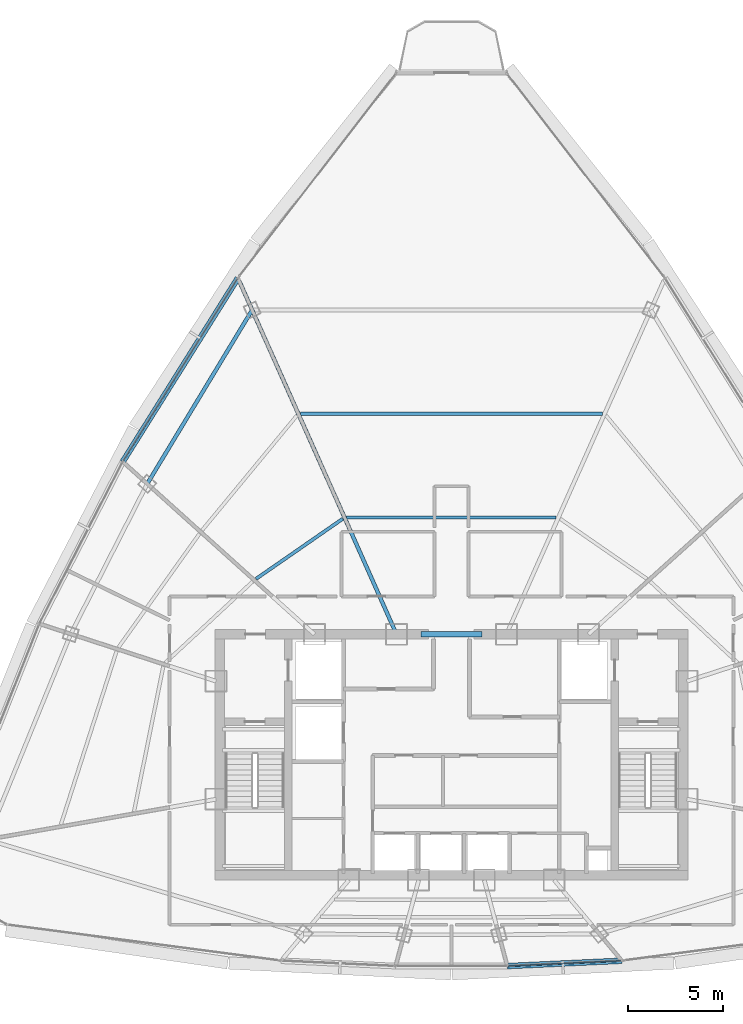
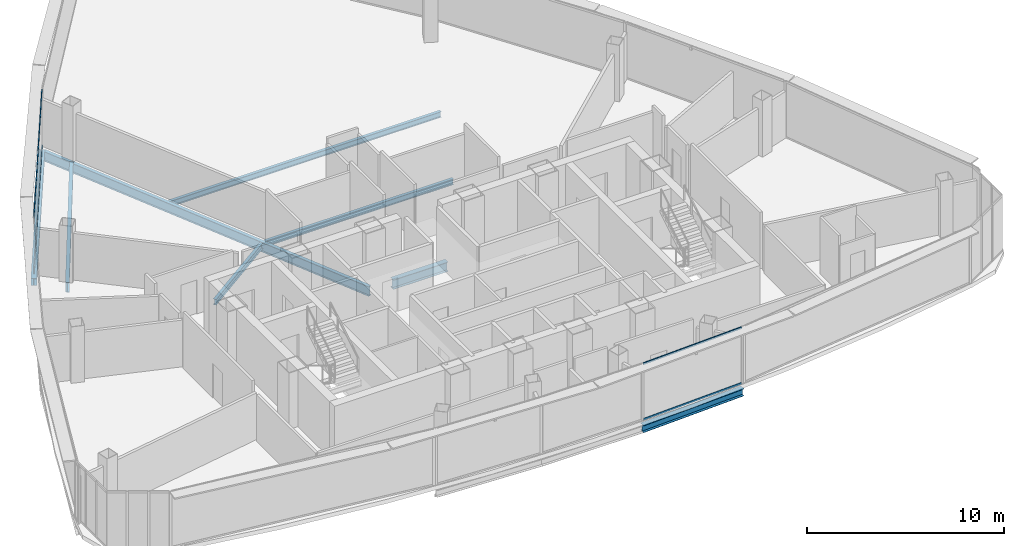
# One storey, part 9 of 29: 8 beams, 4 members, 2 elements without a shape of their own.
"""IFC4 building model written with IfcOpenShell, lengths in metres."""

from ifc_helpers import new_model, si_unit, direction, frame, origin, origin_2d, place, context, subcontext, project, spatial, hollow_rectangle, i_section, extrude, source, transform, mapped, material, layer, layer_set, material_profile, profile_set, type_object, element, aggregate, save


model = new_model("IFC4")

# Units and contexts
model_context = context("Model", 3, precision=1e-05, world=origin(), true_north=direction((0.0, 1.0)))
body_context = subcontext(model_context, "Body", "Model", "MODEL_VIEW")
ifc_project = project(units=[si_unit("LENGTHUNIT", "METRE"), si_unit("AREAUNIT", "SQUARE_METRE"), si_unit("VOLUMEUNIT", "CUBIC_METRE"), si_unit("PLANEANGLEUNIT", "RADIAN"), si_unit("MASSUNIT", "GRAM", prefix="KILO"), si_unit("THERMODYNAMICTEMPERATUREUNIT", "KELVIN"), si_unit("POWERUNIT", "WATT")], contexts=[model_context])

# Site, building, storey
site_placement = place(None, origin())
site = spatial("IfcSite", under=ifc_project, at=site_placement, CompositionType="ELEMENT")
building_placement = place(site_placement, origin())
building = spatial("IfcBuilding", under=site, at=building_placement, Name="Yunzhuo Pagoda Commons", CompositionType="ELEMENT")
storey_placement = place(building_placement, frame((0.0, 0.0, 359.260009765625)))
storey = spatial("IfcBuildingStorey", under=building, at=storey_placement, Name="L90", CompositionType="ELEMENT", Elevation=359.260009765625)

# Beams
ifc_material_1 = material(Name="Structural steel Q420B", Category="steel")
ifc_material_profile_1 = material_profile(ifc_material_1, i_section(OverallWidth=0.300048828125, OverallDepth=0.587890625, WebThickness=0.011962890625, FlangeThickness=0.02001953125, at=origin_2d()), Name="Structural steel Q420B")
ifc_profile_set_1 = profile_set([ifc_material_profile_1], Name="Structural steel Q420B")
beam_type_1 = type_object("IfcBeamType", Name="B-CPL Beam HM 588x300x12x20", PredefinedType="BEAM", material=ifc_profile_set_1)
shared_shape_1 = source(origin(), body_context, "Body", "SweptSolid", [
    extrude(i_section(OverallWidth=0.300048828125, OverallDepth=0.587890625, WebThickness=0.011962890625, FlangeThickness=0.02001953125, at=origin_2d()), origin(), (0.0, 0.0, 1.0), 3.2001953125),
])
beam_1_placement = place(storey_placement, frame((46.39990234375, 40.199951171875, -0.553955078125), z_axis=(1.0, 0.0, 0.0), x_axis=(0.0, 1.0, 0.0)))
element("IfcBeam", 1, at=beam_1_placement, inside=storey, type_object=beam_type_1, Name="L90 core coupling girder", PredefinedType="BEAM", context=body_context, shape_type="MappedRepresentation", body=[
    mapped(shared_shape_1, transform((0.0, 0.0, 0.0), scale=1.0)),
])
ifc_material_2 = material(Name="Structural steel Q355B", Category="steel")
ifc_material_profile_2 = material_profile(ifc_material_2, i_section(OverallWidth=0.199951171875, OverallDepth=0.60009765625, WebThickness=0.010986328125, FlangeThickness=0.01708984375, at=origin_2d()), Name="Structural steel Q355B")
ifc_profile_set_2 = profile_set([ifc_material_profile_2], Name="Structural steel Q355B")
beam_type_2 = type_object("IfcBeamType", Name="B-RG3 Beam HN 600x200x11x17", PredefinedType="BEAM", material=ifc_profile_set_2)
shared_shape_2 = source(origin(), body_context, "Body", "SweptSolid", [
    extrude(i_section(OverallWidth=0.199951171875, OverallDepth=0.60009765625, WebThickness=0.010986328125, FlangeThickness=0.01708984375, at=origin_2d()), origin(), (0.0, 0.0, 1.0), 10.691162109375),
])
beam_2_placement = place(storey_placement, frame((37.501220703125, 57.281005859375, -0.56005859375), z_axis=(-0.516864678433, -0.856067114301, 0.0), x_axis=(0.856067114301, -0.516864678433, 0.0)))
element("IfcBeam", 2, at=beam_2_placement, inside=storey, type_object=beam_type_2, Name="L90 column-ring beam 9", PredefinedType="BEAM", context=body_context, shape_type="MappedRepresentation", body=[
    mapped(shared_shape_2, transform((0.0, 0.0, 0.0), scale=1.0)),
])
ifc_material_profile_3 = material_profile(ifc_material_2, i_section(OverallWidth=0.175048828125, OverallDepth=0.35009765625, WebThickness=0.007080078125, FlangeThickness=0.010986328125, at=origin_2d()), Name="Structural steel Q355B")
ifc_profile_set_3 = profile_set([ifc_material_profile_3], Name="Structural steel Q355B")
beam_type_3 = type_object("IfcBeamType", Name="B-JS2 Joist HN 350x175x7x11", PredefinedType="JOIST", material=ifc_profile_set_3)
shared_shape_3 = source(origin(), body_context, "Body", "SweptSolid", [
    extrude(i_section(OverallWidth=0.175048828125, OverallDepth=0.35009765625, WebThickness=0.007080078125, FlangeThickness=0.010986328125, at=origin_2d()), origin(), (0.0, 0.0, 1.0), 5.556640625),
])
beam_3_placement = place(storey_placement, frame((42.273681640625, 46.28369140625, -0.43505859375), z_axis=(-0.822084621883, -0.569365326011, 0.0), x_axis=(0.569365326011, -0.822084621883, 0.0)))
element("IfcBeam", 3, at=beam_3_placement, inside=storey, type_object=beam_type_3, Name="L90 composite ring joist 1.9", PredefinedType="JOIST", context=body_context, shape_type="MappedRepresentation", body=[
    mapped(shared_shape_3, transform((0.0, 0.0, 0.0), scale=1.0)),
])
shared_shape_4 = source(origin(), body_context, "Body", "SweptSolid", [
    extrude(i_section(OverallWidth=0.175048828125, OverallDepth=0.35009765625, WebThickness=0.007080078125, FlangeThickness=0.010986328125, at=origin_2d()), origin(), (0.0, 0.0, 1.0), 11.03369140625),
])
beam_4_placement = place(storey_placement, frame((53.516845703125, 46.34912109375, -0.43505859375), z_axis=(-1.0, 0.0, 0.0), x_axis=(0.0, -1.0, 0.0)))
element("IfcBeam", 4, at=beam_4_placement, inside=storey, type_object=beam_type_3, Name="L90 composite ring joist 1.8", PredefinedType="JOIST", context=body_context, shape_type="MappedRepresentation", body=[
    mapped(shared_shape_4, transform((0.0, 0.0, 0.0), scale=1.0)),
])
shared_shape_5 = source(origin(), body_context, "Body", "SweptSolid", [
    extrude(i_section(OverallWidth=0.175048828125, OverallDepth=0.35009765625, WebThickness=0.007080078125, FlangeThickness=0.010986328125, at=origin_2d()), origin(), (0.0, 0.0, 1.0), 15.900390625),
])
beam_5_placement = place(storey_placement, frame((55.9501953125, 51.81494140625, -0.43505859375), z_axis=(-1.0, 0.0, 0.0), x_axis=(0.0, -1.0, 0.0)))
element("IfcBeam", 5, at=beam_5_placement, inside=storey, type_object=beam_type_3, Name="L90 composite ring joist 2.8", PredefinedType="JOIST", context=body_context, shape_type="MappedRepresentation", body=[
    mapped(shared_shape_5, transform((0.0, 0.0, 0.0), scale=1.0)),
])
shared_shape_6 = source(origin(), body_context, "Body", "SweptSolid", [
    extrude(i_section(OverallWidth=0.199951171875, OverallDepth=0.60009765625, WebThickness=0.010986328125, FlangeThickness=0.01708984375, at=origin_2d()), origin(), (0.0, 0.0, 1.0), 20.386474609375),
])
beam_6_placement = place(storey_placement, frame((36.814208984375, 58.823974609375, -0.56005859375), z_axis=(0.40672839734, -0.913549128836, 0.0), x_axis=(0.913549128836, 0.40672839734, 0.0)))
element("IfcBeam", 6, at=beam_6_placement, inside=storey, type_object=beam_type_2, Name="L90 radial floor girder F3C1", PredefinedType="BEAM", context=body_context, shape_type="MappedRepresentation", body=[
    mapped(shared_shape_6, transform((0.0, 0.0, 0.0), scale=1.0)),
])
ifc_material_profile_4 = material_profile(ifc_material_2, i_section(OverallWidth=0.300048828125, OverallDepth=0.43994140625, WebThickness=0.010986328125, FlangeThickness=0.01806640625, at=origin_2d()), Name="Structural steel Q355B")
ifc_profile_set_4 = profile_set([ifc_material_profile_4], Name="Structural steel Q355B")
beam_type_4 = type_object("IfcBeamType", Name="B-SP2 Beam HM 440x300x11x18", PredefinedType="BEAM", material=ifc_profile_set_4)
shared_shape_7 = source(origin(), body_context, "Body", "SweptSolid", [
    extrude(i_section(OverallWidth=0.300048828125, OverallDepth=0.43994140625, WebThickness=0.010986328125, FlangeThickness=0.01806640625, at=origin_2d()), origin(), (0.0, 0.0, 1.0), 6.039306640625),
])
beam_7_placement = place(storey_placement, frame((50.941162109375, 22.723388671875, -0.47998046875), z_axis=(0.998909369729, 0.046691231163, 0.0), x_axis=(-0.046691231163, 0.998909369729, 0.0)))
element("IfcBeam", 7, at=beam_7_placement, inside=storey, type_object=beam_type_4, Name="L90 facade edge spandrel beam F1.3", PredefinedType="BEAM", context=body_context, shape_type="MappedRepresentation", body=[
    mapped(shared_shape_7, transform((0.0, 0.0, 0.0), scale=1.0)),
])
shared_shape_8 = source(origin(), body_context, "Body", "SweptSolid", [
    extrude(i_section(OverallWidth=0.300048828125, OverallDepth=0.43994140625, WebThickness=0.010986328125, FlangeThickness=0.01806640625, at=origin_2d()), origin(), (0.0, 0.0, 1.0), 11.419677734375),
])
beam_8_placement = place(storey_placement, frame((36.7509765625, 58.965576171875, -0.47998046875), z_axis=(-0.53116107474, -0.847270861461, 0.0), x_axis=(0.847270861461, -0.53116107474, 0.0)))
element("IfcBeam", 8, at=beam_8_placement, inside=storey, type_object=beam_type_4, Name="L90 facade edge spandrel beam F3.1", PredefinedType="BEAM", context=body_context, shape_type="MappedRepresentation", body=[
    mapped(shared_shape_8, transform((0.0, 0.0, 0.0), scale=1.0)),
])

# Curtain wall, members
ifc_material_3 = material(Name="Anodized aluminium 6063-T6", Category="aluminium")
ifc_layer = layer(ifc_material_3, 0.139892578125)
ifc_layer_set = layer_set([ifc_layer], Name="Anodized aluminium 6063-T6")
curtain_wall_type = type_object("IfcCurtainWallType", Name="CW-HI High-Zone Ribbon Curtain Wall", PredefinedType="NOTDEFINED", material=ifc_layer_set)
curtain_wall_1_placement = place(storey_placement, origin())
curtain_wall_1 = element("IfcCurtainWall", 9, at=curtain_wall_1_placement, inside=storey, type_object=curtain_wall_type, Name="L90 curtain wall CW-L90-F1B4", PredefinedType="NOTDEFINED")
ifc_material_profile_5 = material_profile(ifc_material_3, hollow_rectangle(XDim=0.054931640625, YDim=0.1201171875, WallThickness=0.00341796875, at=origin_2d()), Name="Anodized aluminium 6063-T6")
ifc_profile_set_5 = profile_set([ifc_material_profile_5], Name="Anodized aluminium 6063-T6")
member_type = type_object("IfcMemberType", Name="CW-HI-T Transom RHS 120x55x3.5", PredefinedType="USERDEFINED", material=ifc_profile_set_5)
shared_shape_9 = source(origin(), body_context, "Body", "SweptSolid", [
    extrude(hollow_rectangle(XDim=0.054931640625, YDim=0.1201171875, WallThickness=0.00341796875, at=origin_2d()), origin(), (0.0, 0.0, 1.0), 5.919189453125),
])
member_1_placement = place(storey_placement, frame((51.001220703125, 22.72607421875, 0.027587890625), z_axis=(0.998905524307, 0.046773427391, 0.0), x_axis=(-0.046773427391, 0.998905524307, 0.0)))
member_1 = element("IfcMember", 10, at=member_1_placement, type_object=member_type, Name="CW transom 1.1", ObjectType="TRANSOM", PredefinedType="USERDEFINED", context=body_context, shape_type="MappedRepresentation", body=[
    mapped(shared_shape_9, transform((0.0, 0.0, 0.0), scale=1.0)),
])
member_2_placement = place(storey_placement, frame((51.001220703125, 22.72607421875, 3.46240234375), z_axis=(0.998905524307, 0.046773427391, 0.0), x_axis=(-0.046773427391, 0.998905524307, 0.0)))
member_2 = element("IfcMember", 11, at=member_2_placement, type_object=member_type, Name="CW transom 1.2", ObjectType="TRANSOM", PredefinedType="USERDEFINED", context=body_context, shape_type="MappedRepresentation", body=[
    mapped(shared_shape_9, transform((0.0, 0.0, 0.0), scale=1.0)),
])
aggregate(curtain_wall_1, [member_1, member_2])

curtain_wall_2_placement = place(storey_placement, origin())
curtain_wall_2 = element("IfcCurtainWall", 12, at=curtain_wall_2_placement, inside=storey, type_object=curtain_wall_type, Name="L90 curtain wall CW-L90-F3B2", PredefinedType="NOTDEFINED")
shared_shape_10 = source(origin(), body_context, "Body", "SweptSolid", [
    extrude(hollow_rectangle(XDim=0.054931640625, YDim=0.1201171875, WallThickness=0.00341796875, at=origin_2d()), origin(), (0.0, 0.0, 1.0), 11.2998046875),
])
member_3_placement = place(storey_placement, frame((36.71923828125, 58.914794921875, 0.027587890625), z_axis=(-0.531157876903, -0.847272866203, 0.0), x_axis=(0.847272866203, -0.531157876903, 0.0)))
member_3 = element("IfcMember", 13, at=member_3_placement, type_object=member_type, Name="CW transom 1.1", ObjectType="TRANSOM", PredefinedType="USERDEFINED", context=body_context, shape_type="MappedRepresentation", body=[
    mapped(shared_shape_10, transform((0.0, 0.0, 0.0), scale=1.0)),
])
member_4_placement = place(storey_placement, frame((36.71923828125, 58.914794921875, 3.46240234375), z_axis=(-0.531157876903, -0.847272866203, 0.0), x_axis=(0.847272866203, -0.531157876903, 0.0)))
member_4 = element("IfcMember", 14, at=member_4_placement, type_object=member_type, Name="CW transom 1.2", ObjectType="TRANSOM", PredefinedType="USERDEFINED", context=body_context, shape_type="MappedRepresentation", body=[
    mapped(shared_shape_10, transform((0.0, 0.0, 0.0), scale=1.0)),
])
aggregate(curtain_wall_2, [member_3, member_4])

save(model, "model.ifc")
